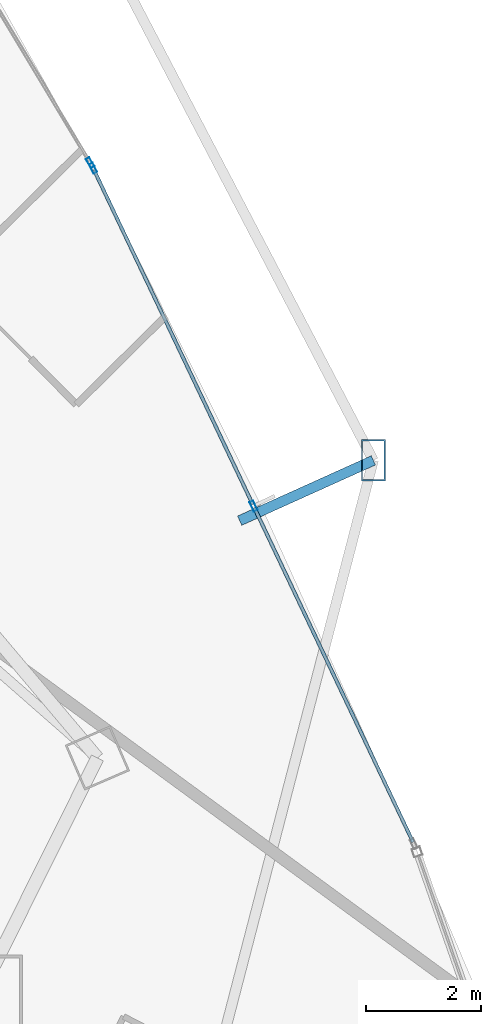
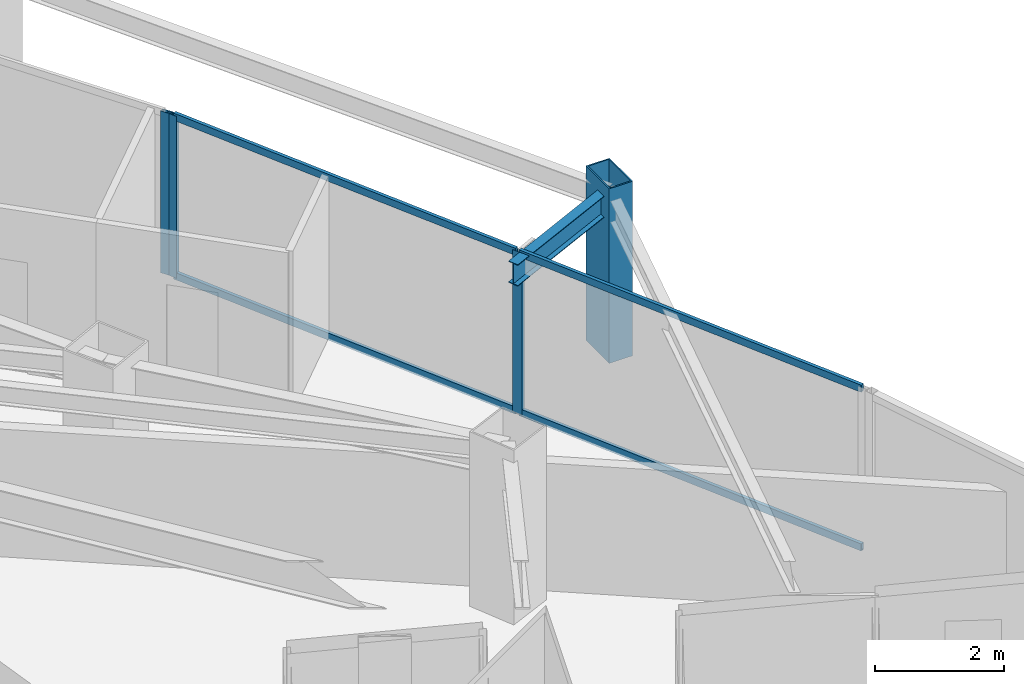
# One storey, part 20 of 35: 8 members, 1 beam, 2 elements without a shape of their own.
"""IFC4 building model written with IfcOpenShell, lengths in metres."""

import ifcopenshell
import ifcopenshell.guid

model = None  # the IFC model being written
_history = None  # IfcOwnerHistory: only IFC2X3 demands one
_inside = {}  # id of a spatial element -> (the spatial element, [elements in it])
_under = {}  # id of a project, library or spatial element -> (it, [spatial elements below it])
_declared = {}  # id of a project -> (the project, [libraries it declares])
_typed = {}  # id of a type object -> (the type object, [elements of that type])
_made_of = {}  # id of a material, layer set ... -> (it, [elements and type objects made of it])


def new_model(schema):
    """Start an empty IFC model of exactly this schema.

    Asked for "IFC4X3", IfcOpenShell would pick the latest addendum, in which some entities
    have other attributes; the version numbers below select the first issue.
    IFC2X3 requires an IfcOwnerHistory on every rooted entity: one is made here for all.
    """
    global model, _history
    if schema == "IFC4X3":
        model = ifcopenshell.file(schema_version=(4, 3, 0, 0))
    else:
        model = ifcopenshell.file(schema=schema)
    _inside.clear()
    _under.clear()
    _declared.clear()
    _typed.clear()
    _made_of.clear()
    _history = None
    if model.schema == "IFC2X3":
        org = make("IfcOrganization", Name="unknown")
        user = make(
            "IfcPersonAndOrganization",
            ThePerson=make("IfcPerson", FamilyName="unknown"),
            TheOrganization=org,
        )
        app = make(
            "IfcApplication",
            ApplicationDeveloper=org,
            Version="unknown",
            ApplicationFullName="unknown",
            ApplicationIdentifier="unknown",
        )
        _history = make(
            "IfcOwnerHistory",
            OwningUser=user,
            OwningApplication=app,
            ChangeAction="ADDED",
            CreationDate=0,
        )
    return model


def make(cls, **values):
    """One entity of the class cls with the attributes given. An attribute that is None is left unset."""
    return model.create_entity(
        cls, **{name: value for name, value in values.items() if value is not None}
    )


def rooted(cls, **values):
    """An entity with a GlobalId (a new one), such as an element, a storey or a relation."""
    return make(cls, GlobalId=ifcopenshell.guid.new(), OwnerHistory=_history, **values)


def si_unit(unit_type, name, prefix=None):
    """IfcSIUnit, for example si_unit("LENGTHUNIT", "METRE", prefix="MILLI")."""
    return make("IfcSIUnit", UnitType=unit_type, Prefix=prefix, Name=name)


def assignment(units):
    """IfcUnitAssignment: the units of a project."""
    return None if units is None else make("IfcUnitAssignment", Units=units)


def point(xyz):
    """IfcCartesianPoint."""
    return None if xyz is None else make("IfcCartesianPoint", Coordinates=xyz)


def direction(xyz):
    """IfcDirection."""
    return None if xyz is None else make("IfcDirection", DirectionRatios=xyz)


def frame(location, z_axis=None, x_axis=None):
    """IfcAxis2Placement3D, a coordinate frame: its origin and axes. An axis left out is left unset."""
    return make(
        "IfcAxis2Placement3D",
        Location=point(location),
        Axis=direction(z_axis),
        RefDirection=direction(x_axis),
    )


def frame_2d(location, x_axis=None):
    """IfcAxis2Placement2D, a coordinate frame in the plane: its origin and x axis."""
    return make(
        "IfcAxis2Placement2D", Location=point(location), RefDirection=direction(x_axis)
    )


def origin():
    """The frame at (0, 0, 0) with its axes left unset."""
    return frame((0.0, 0.0, 0.0))


def origin_2d():
    """The frame at (0, 0) in the plane with its x axis left unset."""
    return frame_2d((0.0, 0.0))


def place(relative_to, where):
    """IfcLocalPlacement: puts the frame where relative to a parent placement (None: the world)."""
    return make(
        "IfcLocalPlacement", PlacementRelTo=relative_to, RelativePlacement=where
    )


def context(
    kind, dimensions, precision=None, world=None, true_north=None, identifier=None
):
    """IfcGeometricRepresentationContext, for example the 3D "Model" context."""
    return make(
        "IfcGeometricRepresentationContext",
        ContextIdentifier=identifier,
        ContextType=kind,
        CoordinateSpaceDimension=dimensions,
        Precision=precision,
        WorldCoordinateSystem=world,
        TrueNorth=true_north,
    )


def subcontext(parent, identifier, kind, view, scale=None):
    """IfcGeometricRepresentationSubContext, for example "Body" below "Model"."""
    return make(
        "IfcGeometricRepresentationSubContext",
        ContextIdentifier=identifier,
        ContextType=kind,
        ParentContext=parent,
        TargetScale=scale,
        TargetView=view,
    )


def project(units=None, contexts=None):
    """IfcProject with its units and contexts."""
    return rooted(
        "IfcProject",
        Name="project",
        RepresentationContexts=contexts,
        UnitsInContext=assignment(units),
    )


def spatial(cls, under=None, at=None, **own):
    """A site, building, storey or space (cls), placed at a placement, below another one or the project."""
    s = rooted(cls, ObjectPlacement=at, **own)
    if under is not None:
        _under.setdefault(under.id(), (under, []))[1].append(s)
    return s


def profile(cls, at=None, kind="AREA", **sizes):
    """A parametric profile (cls). Its sizes go by their IFC names, for example OverallWidth=200.0."""
    return make(cls, ProfileType=kind, Position=at, **sizes)


def hollow_rectangle(**sizes):
    """IfcRectangleHollowProfileDef."""
    return profile("IfcRectangleHollowProfileDef", **sizes)


def i_section(**sizes):
    """IfcIShapeProfileDef."""
    return profile("IfcIShapeProfileDef", **sizes)


def extrude(swept, where, along, depth):
    """IfcExtrudedAreaSolid: the profile swept, set in the frame where, extruded along a direction by depth."""
    return make(
        "IfcExtrudedAreaSolid",
        SweptArea=swept,
        Position=where,
        ExtrudedDirection=direction(along),
        Depth=depth,
    )


def shape(context_of_items, identifier, shape_type, items):
    """IfcShapeRepresentation: the items that make up one representation, for example the "Body"."""
    return make(
        "IfcShapeRepresentation",
        ContextOfItems=context_of_items,
        RepresentationIdentifier=identifier,
        RepresentationType=shape_type,
        Items=items,
    )


def material(Name=None, Category=None):
    """IfcMaterial."""
    return make("IfcMaterial", Name=Name, Category=Category)


def layer(
    of_material, thickness, ventilated=None, Name=None, Category=None, Priority=None
):
    """IfcMaterialLayer: one layer of a wall or slab, of a material (None: an air gap)."""
    return make(
        "IfcMaterialLayer",
        Material=of_material,
        LayerThickness=thickness,
        IsVentilated=ventilated,
        Name=Name,
        Category=Category,
        Priority=Priority,
    )


def layer_set(layers, Name=None):
    """IfcMaterialLayerSet."""
    return make("IfcMaterialLayerSet", MaterialLayers=layers, LayerSetName=Name)


def material_profile(
    of_material, cross_section, Name=None, Category=None, Priority=None
):
    """IfcMaterialProfile: a cross section and its material."""
    return make(
        "IfcMaterialProfile",
        Name=Name,
        Material=of_material,
        Profile=cross_section,
        Priority=Priority,
        Category=Category,
    )


def profile_set(profiles, Name=None, composite=None):
    """IfcMaterialProfileSet."""
    return make(
        "IfcMaterialProfileSet",
        Name=Name,
        MaterialProfiles=profiles,
        CompositeProfile=composite,
    )


def made_of(thing, what):
    """Note that an element or type object is made of a material, layer set ...; save() writes the relation."""
    if what is not None:
        _made_of.setdefault(what.id(), (what, []))[1].append(thing)
    return thing


def type_object(cls, material=None, **own):
    """A type object (cls), such as IfcWallType, which elements share."""
    return made_of(rooted(cls, **own), material)


def element(
    cls,
    number,
    at=None,
    inside=None,
    cuts=None,
    type_object=None,
    material=None,
    context=None,
    identifier="Body",
    shape_type=None,
    held_by="IfcProductDefinitionShape",
    body=None,
    shapes=None,
    **own,
):
    """One element of the class cls, such as IfcWall. Its Tag is "e" and its number.

    at: its placement. inside: the storey or other place that contains it. cuts: it is an
    opening in that element (IfcRelVoidsElement). A single representation is given by context,
    identifier, shape_type and body (its items); several are given by shapes. held_by: the class
    of the entity that holds the representations. save() writes the other relations.
    """
    e = rooted(cls, Tag="e%d" % number, ObjectPlacement=at, **own)
    if body is not None:
        shapes = [shape(context, identifier, shape_type, body)]
    if shapes is not None:
        e.Representation = make(held_by, Representations=shapes)
    if inside is not None:
        _inside.setdefault(inside.id(), (inside, []))[1].append(e)
    if cuts is not None:
        rooted(
            "IfcRelVoidsElement", RelatingBuildingElement=cuts, RelatedOpeningElement=e
        )
    if type_object is not None:
        _typed.setdefault(type_object.id(), (type_object, []))[1].append(e)
    return made_of(e, material)


def aggregate(whole, parts):
    """IfcRelAggregates: a whole, such as a stair, and the parts it consists of."""
    return rooted("IfcRelAggregates", RelatingObject=whole, RelatedObjects=parts)


def save(model, path):
    """Write the relations noted so far, then the file.

    IfcRelAggregates (storeys below a building ...), IfcRelContainedInSpatialStructure (elements
    in a storey), IfcRelDefinesByType, IfcRelAssociatesMaterial and IfcRelDeclares: one each for
    every whole, place, type object, material and project.
    """
    for whole, parts in _under.values():
        aggregate(whole, parts)
    for where, things in _inside.values():
        rooted(
            "IfcRelContainedInSpatialStructure",
            RelatedElements=things,
            RelatingStructure=where,
        )
    for kind, things in _typed.values():
        rooted("IfcRelDefinesByType", RelatedObjects=things, RelatingType=kind)
    for what, things in _made_of.values():
        rooted("IfcRelAssociatesMaterial", RelatedObjects=things, RelatingMaterial=what)
    for by, libraries in _declared.values():
        rooted("IfcRelDeclares", RelatingContext=by, RelatedDefinitions=libraries)
    model.write(path)


model = new_model("IFC4")

# Units and contexts
model_context = context("Model", 3, precision=1e-05, world=origin(), true_north=direction((0.0, 1.0)))
body_context = subcontext(model_context, "Body", "Model", "MODEL_VIEW")
ifc_project = project(units=[si_unit("LENGTHUNIT", "METRE"), si_unit("AREAUNIT", "SQUARE_METRE"), si_unit("VOLUMEUNIT", "CUBIC_METRE"), si_unit("PLANEANGLEUNIT", "RADIAN"), si_unit("MASSUNIT", "GRAM", prefix="KILO")], contexts=[model_context])

# Site, building, storey
site_placement = place(None, origin())
site = spatial("IfcSite", under=ifc_project, at=site_placement, CompositionType="ELEMENT")
building_placement = place(site_placement, origin())
building = spatial("IfcBuilding", under=site, at=building_placement, Name="Orvanel Arch Residences", CompositionType="ELEMENT")
storey_placement = place(building_placement, frame((0.0, 0.0, 26.89990234375)))
storey = spatial("IfcBuildingStorey", under=building, at=storey_placement, Name="L06", CompositionType="ELEMENT", Elevation=26.89990234375)

# Member
ifc_material_1 = material(Name="Structural steel AS/NZS 3678 Grade 350", Category="steel")
ifc_material_profile_1 = material_profile(ifc_material_1, hollow_rectangle(XDim=0.419921875, YDim=0.719970703125, WallThickness=0.02490234375, at=origin_2d()), Name="RHS720x420x25")
ifc_profile_set_1 = profile_set([ifc_material_profile_1], Name="Structural steel AS/NZS 3678 Grade 350")
member_type_1 = type_object("IfcMemberType", Name="CH-720RHS-EXT", PredefinedType="CHORD", material=ifc_profile_set_1)
member_1_placement = place(storey_placement, frame((58.701904296875, 19.75390625, 0.0), z_axis=(0.0, 0.0, 1.0), x_axis=(1.0, 0.0, 0.0)))
element("IfcMember", 1, at=member_1_placement, inside=storey, type_object=member_type_1, Name="L06 Outer Perimeter Frame Post 09", PredefinedType="CHORD", context=body_context, shape_type="SweptSolid", body=[
    extrude(hollow_rectangle(XDim=0.419921875, YDim=0.719970703125, WallThickness=0.02490234375, at=origin_2d()), origin(), (0.0, 0.0, 1.0), 3.300048828125),
])

# Curtain wall, members
ifc_material_2 = material(Name="Bronze-anodised aluminium AA6063-T6", Category="aluminium")
ifc_layer = layer(ifc_material_2, 0.179931640625)
ifc_layer_set = layer_set([ifc_layer], Name="Bronze-anodised aluminium AA6063-T6")
curtain_wall_type = type_object("IfcCurtainWallType", Name="CW2-LOW-SYS", PredefinedType="NOTDEFINED", material=ifc_layer_set)
curtain_wall_1_placement = place(storey_placement, origin())
curtain_wall_1 = element("IfcCurtainWall", 2, at=curtain_wall_1_placement, inside=storey, type_object=curtain_wall_type, Name="L06 CW2-LOW-SYS Unitised Curtain Wall", PredefinedType="NOTDEFINED")
ifc_material_profile_2 = material_profile(ifc_material_2, hollow_rectangle(XDim=0.070068359375, YDim=0.179931640625, WallThickness=0.00439453125, at=origin_2d()), Name="ALU180x70x4.5")
ifc_profile_set_2 = profile_set([ifc_material_profile_2], Name="Bronze-anodised aluminium AA6063-T6")
member_type_2 = type_object("IfcMemberType", Name="MUL-180x70", PredefinedType="MULLION", material=ifc_profile_set_2)
member_2_placement = place(storey_placement, frame((56.618896484375, 18.95947265625, 0.0), z_axis=(0.0, 0.0, 1.0), x_axis=(-0.903402710016, -0.428793124403, 0.0)))
member_2 = element("IfcMember", 3, at=member_2_placement, type_object=member_type_2, Name="CW-S2 mullion 2", PredefinedType="MULLION", context=body_context, shape_type="SweptSolid", body=[
    extrude(hollow_rectangle(XDim=0.070068359375, YDim=0.179931640625, WallThickness=0.00439453125, at=origin_2d()), origin(), (0.0, 0.0, 1.0), 3.06005859375),
])
member_3_placement = place(storey_placement, frame((53.8310546875, 24.83349609375, 0.0), z_axis=(0.0, 0.0, 1.0), x_axis=(-0.903402710016, -0.428793124403, 0.0)))
member_3 = element("IfcMember", 4, at=member_3_placement, type_object=member_type_2, Name="CW-S2 mullion 3", PredefinedType="MULLION", context=body_context, shape_type="SweptSolid", body=[
    extrude(hollow_rectangle(XDim=0.070068359375, YDim=0.179931640625, WallThickness=0.00439453125, at=origin_2d()), origin(), (0.0, 0.0, 1.0), 3.06005859375),
])

# Curtain wall, member
curtain_wall_2_placement = place(storey_placement, origin())
curtain_wall_2 = element("IfcCurtainWall", 5, at=curtain_wall_2_placement, inside=storey, type_object=curtain_wall_type, Name="L06 CW2-LOW-SYS Unitised Curtain Wall", PredefinedType="NOTDEFINED")
member_4_placement = place(storey_placement, frame((53.779052734375, 24.929931640625, 0.0), z_axis=(0.0, 0.0, 1.0), x_axis=(-0.857540386644, -0.514416645603, 0.0)))
member_4 = element("IfcMember", 6, at=member_4_placement, type_object=member_type_2, Name="CW-S2 mullion 1", PredefinedType="MULLION", context=body_context, shape_type="SweptSolid", body=[
    extrude(hollow_rectangle(XDim=0.070068359375, YDim=0.179931640625, WallThickness=0.00439453125, at=origin_2d()), origin(), (0.0, 0.0, 1.0), 3.06005859375),
])
aggregate(curtain_wall_2, [member_4])

# Beam
ifc_material_3 = material(Name="Structural steel AS/NZS 3679.1 Grade 300 (300 MPa)", Category="steel")
ifc_material_profile_3 = material_profile(ifc_material_3, i_section(OverallWidth=0.177978515625, OverallDepth=0.406005859375, WebThickness=0.0078125, FlangeThickness=0.0126953125, at=origin_2d()), Name="410UB59.7")
ifc_profile_set_3 = profile_set([ifc_material_profile_3], Name="Structural steel AS/NZS 3679.1 Grade 300 (300 MPa)")
beam_type = type_object("IfcBeamType", Name="OB-410UB-EXT", PredefinedType="SPANDREL", material=ifc_profile_set_3)
beam_placement = place(storey_placement, frame((56.3779296875, 18.705078125, 2.857177734375), z_axis=(0.911474847894, 0.411355809072, 0.0), x_axis=(-0.411355809072, 0.911474847894, 0.0)))
element("IfcBeam", 7, at=beam_placement, inside=storey, type_object=beam_type, Name="L06 Outer Frame Radial Tie Beam 09", PredefinedType="SPANDREL", context=body_context, shape_type="SweptSolid", body=[
    extrude(i_section(OverallWidth=0.177978515625, OverallDepth=0.406005859375, WebThickness=0.0078125, FlangeThickness=0.0126953125, at=origin_2d()), origin(), (0.0, 0.0, 1.0), 2.5498046875),
])

# Member
ifc_material_profile_4 = material_profile(ifc_material_2, hollow_rectangle(XDim=0.06005859375, YDim=0.135009765625, WallThickness=0.00390625, at=origin_2d()), Name="ALU135x60x4")
ifc_profile_set_4 = profile_set([ifc_material_profile_4], Name="Bronze-anodised aluminium AA6063-T6")
member_type_3 = type_object("IfcMemberType", Name="TRN-135x60", PredefinedType="USERDEFINED", material=ifc_profile_set_4)
member_5_placement = place(storey_placement, frame((59.39208984375, 13.1171875, 0.030029296875), z_axis=(-0.428794333507, 0.903402136124, 0.0), x_axis=(-0.903402136124, -0.428794333507, 0.0)))
member_5 = element("IfcMember", 8, at=member_5_placement, type_object=member_type_3, Name="CW-S2 transom 1.1", ObjectType="TRANSOM", PredefinedType="USERDEFINED", context=body_context, shape_type="SweptSolid", body=[
    extrude(hollow_rectangle(XDim=0.06005859375, YDim=0.135009765625, WallThickness=0.00390625, at=origin_2d()), origin(), (0.0, 0.0, 1.0), 6.43212890625),
])

member_6_placement = place(storey_placement, frame((59.39208984375, 13.1171875, 3.030029296875), z_axis=(-0.428794333507, 0.903402136124, 0.0), x_axis=(-0.903402136124, -0.428794333507, 0.0)))
member_6 = element("IfcMember", 9, at=member_6_placement, type_object=member_type_3, Name="CW-S2 transom 1.2", ObjectType="TRANSOM", PredefinedType="USERDEFINED", context=body_context, shape_type="SweptSolid", body=[
    extrude(hollow_rectangle(XDim=0.06005859375, YDim=0.135009765625, WallThickness=0.00390625, at=origin_2d()), origin(), (0.0, 0.0, 1.0), 6.43212890625),
])

member_7_placement = place(storey_placement, frame((56.60400390625, 18.9912109375, 0.030029296875), z_axis=(-0.428809037296, 0.903395156913, 0.0), x_axis=(-0.903395156913, -0.428809037296, 0.0)))
member_7 = element("IfcMember", 10, at=member_7_placement, type_object=member_type_3, Name="CW-S2 transom 2.1", ObjectType="TRANSOM", PredefinedType="USERDEFINED", context=body_context, shape_type="SweptSolid", body=[
    extrude(hollow_rectangle(XDim=0.06005859375, YDim=0.135009765625, WallThickness=0.00390625, at=origin_2d()), origin(), (0.0, 0.0, 1.0), 6.431884765625),
])

member_8_placement = place(storey_placement, frame((56.60400390625, 18.9912109375, 3.030029296875), z_axis=(-0.428809037296, 0.903395156913, 0.0), x_axis=(-0.903395156913, -0.428809037296, 0.0)))
member_8 = element("IfcMember", 11, at=member_8_placement, type_object=member_type_3, Name="CW-S2 transom 2.2", ObjectType="TRANSOM", PredefinedType="USERDEFINED", context=body_context, shape_type="SweptSolid", body=[
    extrude(hollow_rectangle(XDim=0.06005859375, YDim=0.135009765625, WallThickness=0.00390625, at=origin_2d()), origin(), (0.0, 0.0, 1.0), 6.431884765625),
])

aggregate(curtain_wall_1, [member_2, member_3, member_5, member_6, member_7, member_8])

save(model, "model.ifc")
